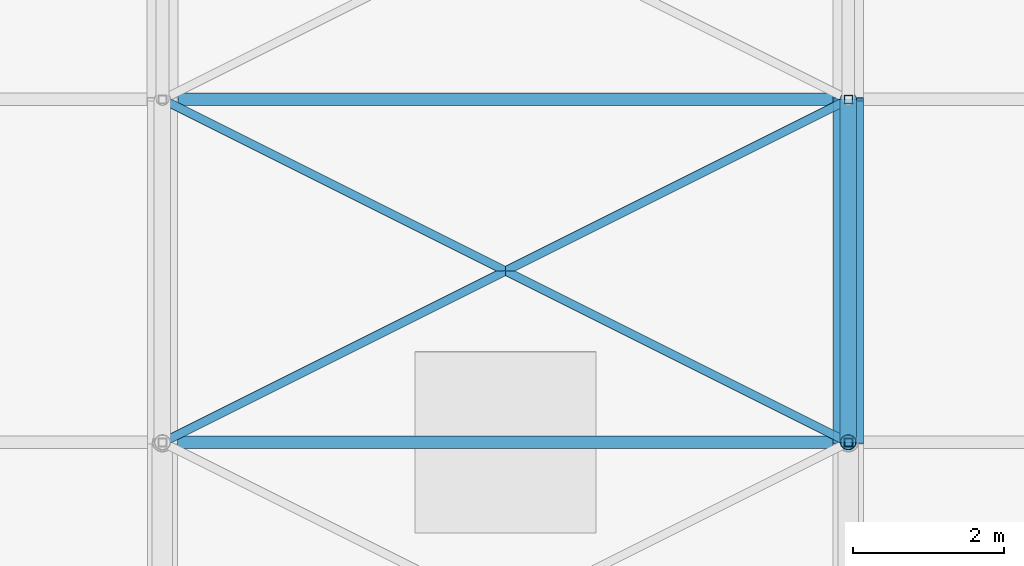
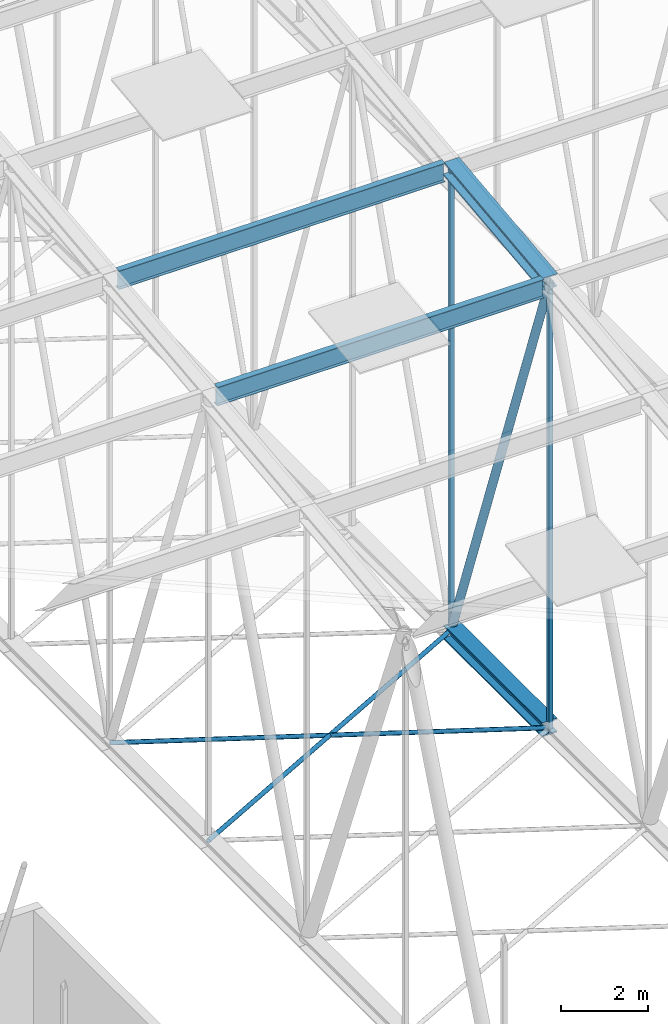
# One storey, part 89 of 500: 9 members.
"""IFC4 building model written with IfcOpenShell, lengths in metres."""

from ifc_helpers import new_model, si_unit, direction, frame, origin, origin_2d, place, context, subcontext, project, spatial, hollow_rectangle, hollow_circle, i_section, extrude, material, material_profile, profile_set, type_object, element, save


model = new_model("IFC4")

# Units and contexts
model_context = context("Model", 3, precision=1e-05, world=origin(), true_north=direction((0.0, 1.0)))
body_context = subcontext(model_context, "Body", "Model", "MODEL_VIEW")
ifc_project = project(units=[si_unit("LENGTHUNIT", "METRE"), si_unit("AREAUNIT", "SQUARE_METRE"), si_unit("VOLUMEUNIT", "CUBIC_METRE"), si_unit("PLANEANGLEUNIT", "RADIAN"), si_unit("MASSUNIT", "GRAM", prefix="KILO")], contexts=[model_context])

# Site, building, storey
site_placement = place(None, origin())
site = spatial("IfcSite", under=ifc_project, at=site_placement, CompositionType="ELEMENT")
building_placement = place(site_placement, origin())
building = spatial("IfcBuilding", under=site, at=building_placement, Name="Shirokan Park Arena", CompositionType="ELEMENT")
storey_placement = place(building_placement, frame((0.0, 0.0, 29.1201171875)))
storey = spatial("IfcBuildingStorey", under=building, at=storey_placement, Name="L06", CompositionType="ELEMENT", Elevation=29.1201171875)

# Members
ifc_material_1 = material(Name="Steel ASTM A992", Category="steel")
ifc_material_profile_1 = material_profile(ifc_material_1, i_section(OverallWidth=0.40087890625, OverallDepth=0.39892578125, WebThickness=0.02490234375, FlangeThickness=0.03955078125, at=origin_2d()), Name="W360X314")
ifc_profile_set_1 = profile_set([ifc_material_profile_1], Name="Steel ASTM A992")
member_type_1 = type_object("IfcMemberType", Name="Bottom chord W360X314", PredefinedType="CHORD", material=ifc_profile_set_1)
member_1_placement = place(storey_placement, frame((54.60009765625, 40.949951171875, 4.677001953125), z_axis=(0.0, 1.0, 0.0), x_axis=(-1.0, 0.0, 0.0)))
element("IfcMember", 1, at=member_1_placement, inside=storey, type_object=member_type_1, Name="Truss T07 bottom chord 12", PredefinedType="CHORD", context=body_context, shape_type="SweptSolid", body=[
    extrude(i_section(OverallWidth=0.40087890625, OverallDepth=0.39892578125, WebThickness=0.02490234375, FlangeThickness=0.03955078125, at=origin_2d()), origin(), (0.0, 0.0, 1.0), 4.550048828125),
])
ifc_material_2 = material(Name="Steel ASTM A500 Grade C", Category="steel")
ifc_material_profile_2 = material_profile(ifc_material_2, hollow_circle(Radius=0.056884765625, WallThickness=0.006103515625, at=origin_2d()), Name="HSS114.3X6")
ifc_profile_set_2 = profile_set([ifc_material_profile_2], Name="Steel ASTM A500 Grade C")
member_type_2 = type_object("IfcMemberType", Name="Plan bracing HSS114.3X6", PredefinedType="BRACE", material=ifc_profile_set_2)
for number, where, z_axis, x_axis, name in (
    (2, (45.5, 40.949951171875, 4.677001953125), (0.894427191, 0.4472135955, 0.0), (-0.4472135955, 0.894427191, 0.0), "Plan bracing bay 6 panel 12 A"),
    (3, (54.60009765625, 40.949951171875, 4.677001953125), (-0.894427191, 0.4472135955, 0.0), (-0.4472135955, -0.894427191, 0.0), "Plan bracing bay 6 panel 12 B"),
):
    element("IfcMember", number, at=place(storey_placement, frame(where, z_axis=z_axis, x_axis=x_axis)), inside=storey, type_object=member_type_2, Name=name, PredefinedType="BRACE", context=body_context, shape_type="SweptSolid", body=[
        extrude(hollow_circle(Radius=0.056884765625, WallThickness=0.006103515625, at=origin_2d()), origin(), (0.0, 0.0, 1.0), 10.17431640625),
    ])
ifc_material_profile_3 = material_profile(ifc_material_1, i_section(OverallWidth=0.166015625, OverallDepth=0.528076171875, WebThickness=0.009765625, FlangeThickness=0.013671875, at=origin_2d()), Name="W530X74")
ifc_profile_set_3 = profile_set([ifc_material_profile_3], Name="Steel ASTM A992")
member_type_3 = type_object("IfcMemberType", Name="Purlin W530X74", PredefinedType="PURLIN", material=ifc_profile_set_3)
member_2_placement = place(storey_placement, frame((45.700439453125, 40.949951171875, 17.165771484375), z_axis=(1.0, 0.0, 0.0), x_axis=(0.0, 1.0, 0.0)))
element("IfcMember", 4, at=member_2_placement, inside=storey, type_object=member_type_3, Name="Purlin 12 bay 6", PredefinedType="PURLIN", context=body_context, shape_type="SweptSolid", body=[
    extrude(i_section(OverallWidth=0.166015625, OverallDepth=0.528076171875, WebThickness=0.009765625, FlangeThickness=0.013671875, at=origin_2d()), origin(), (0.0, 0.0, 1.0), 8.698974609375),
])
member_3_placement = place(storey_placement, frame((45.702880859375, 45.5, 17.685791015625), z_axis=(1.0, 0.0, 0.0), x_axis=(0.0, 1.0, 0.0)))
element("IfcMember", 5, at=member_3_placement, inside=storey, type_object=member_type_3, Name="Purlin 13 bay 6", PredefinedType="PURLIN", context=body_context, shape_type="SweptSolid", body=[
    extrude(i_section(OverallWidth=0.166015625, OverallDepth=0.528076171875, WebThickness=0.009765625, FlangeThickness=0.013671875, at=origin_2d()), origin(), (0.0, 0.0, 1.0), 8.694091796875),
])
ifc_material_profile_4 = material_profile(ifc_material_1, i_section(OverallWidth=0.40087890625, OverallDepth=0.39892578125, WebThickness=0.02490234375, FlangeThickness=0.03955078125, at=origin_2d()), Name="W360X314")
ifc_profile_set_4 = profile_set([ifc_material_profile_4], Name="Steel ASTM A992")
member_type_4 = type_object("IfcMemberType", Name="Top chord W360X314", PredefinedType="CHORD", material=ifc_profile_set_4)
member_4_placement = place(storey_placement, frame((54.60009765625, 40.949951171875, 17.221435546875), z_axis=(0.0, 0.993532328996, 0.113549598152), x_axis=(-1.0, 0.0, 0.0)))
element("IfcMember", 6, at=member_4_placement, inside=storey, type_object=member_type_4, Name="Truss T07 top chord 12", PredefinedType="CHORD", context=body_context, shape_type="SweptSolid", body=[
    extrude(i_section(OverallWidth=0.40087890625, OverallDepth=0.39892578125, WebThickness=0.02490234375, FlangeThickness=0.03955078125, at=origin_2d()), origin(), (0.0, 0.0, 1.0), 4.57958984375),
])
ifc_material_profile_5 = material_profile(ifc_material_2, hollow_circle(Radius=0.109619140625, WallThickness=0.009521484375, at=origin_2d()), Name="HSS219.1X9.5")
ifc_profile_set_5 = profile_set([ifc_material_profile_5], Name="Steel ASTM A500 Grade C")
member_type_5 = type_object("IfcMemberType", Name="Truss diagonal HSS219.1X9.5", PredefinedType="BRACE", material=ifc_profile_set_5)
member_5_placement = place(storey_placement, frame((54.60009765625, 40.949951171875, 17.221435546875), z_axis=(0.0, 0.340977600467, -0.94007142068), x_axis=(-1.0, 0.0, 0.0)))
element("IfcMember", 7, at=member_5_placement, inside=storey, type_object=member_type_5, Name="Truss T07 diagonal 12", PredefinedType="BRACE", context=body_context, shape_type="SweptSolid", body=[
    extrude(hollow_circle(Radius=0.109619140625, WallThickness=0.009521484375, at=origin_2d()), origin(), (0.0, 0.0, 1.0), 13.34423828125),
])
ifc_material_profile_6 = material_profile(ifc_material_2, hollow_rectangle(XDim=0.114013671875, YDim=0.114013671875, WallThickness=0.00634765625, at=origin_2d()), Name="HSS114.3X114.3X6.4")
ifc_profile_set_6 = profile_set([ifc_material_profile_6], Name="Steel ASTM A500 Grade C")
member_type_6 = type_object("IfcMemberType", Name="Truss post HSS114.3X114.3X6.4", PredefinedType="POST", material=ifc_profile_set_6)
member_6_placement = place(storey_placement, frame((54.60009765625, 40.949951171875, 4.677001953125), z_axis=(0.0, 0.0, 1.0), x_axis=(1.0, 0.0, 0.0)))
element("IfcMember", 8, at=member_6_placement, inside=storey, type_object=member_type_6, Name="Truss T07 post 12", PredefinedType="POST", context=body_context, shape_type="SweptSolid", body=[
    extrude(hollow_rectangle(XDim=0.114013671875, YDim=0.114013671875, WallThickness=0.00634765625, at=origin_2d()), origin(), (0.0, 0.0, 1.0), 12.54443359375),
])
member_7_placement = place(storey_placement, frame((54.60009765625, 45.5, 4.677001953125), z_axis=(0.0, 0.0, 1.0), x_axis=(1.0, 0.0, 0.0)))
element("IfcMember", 9, at=member_7_placement, inside=storey, type_object=member_type_6, Name="Truss T07 post 13", PredefinedType="POST", context=body_context, shape_type="SweptSolid", body=[
    extrude(hollow_rectangle(XDim=0.114013671875, YDim=0.114013671875, WallThickness=0.00634765625, at=origin_2d()), origin(), (0.0, 0.0, 1.0), 13.064453125),
])

save(model, "model.ifc")
